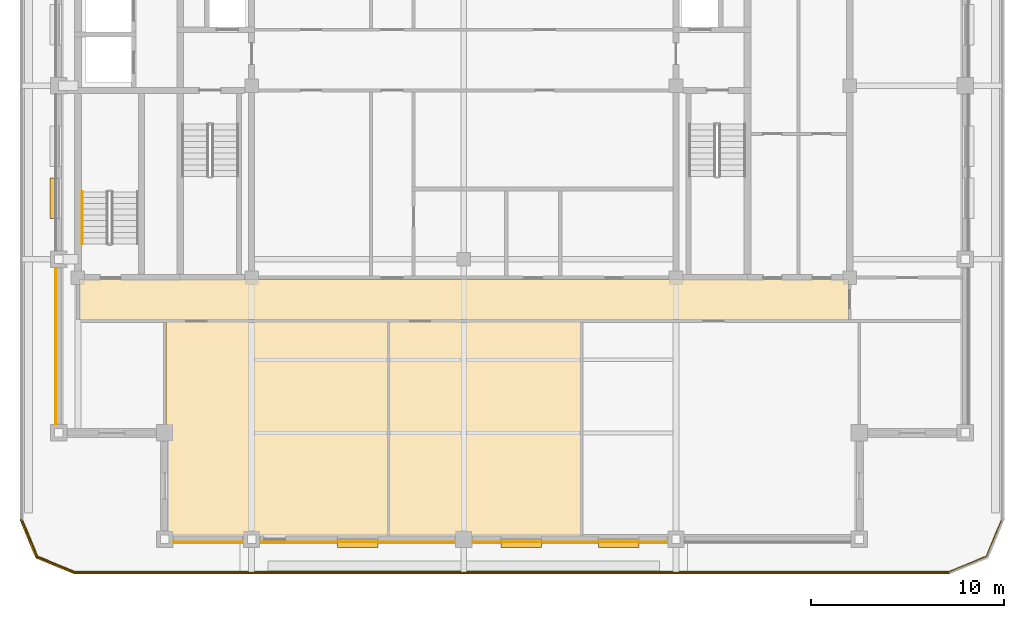
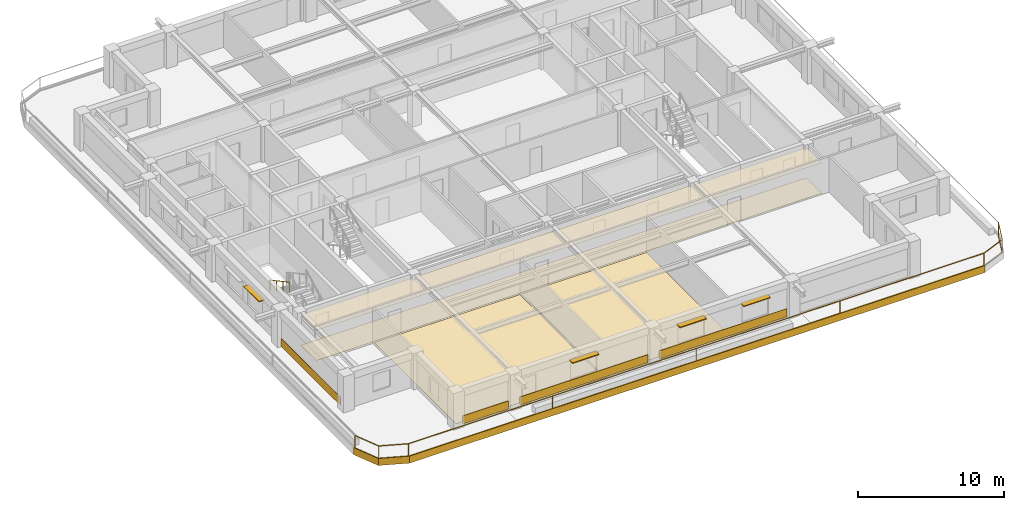
# One storey, part 7 of 11: 11 coverings, 4 shading devices, 2 railings.
"""IFC4 building model written with IfcOpenShell, lengths in metres."""

from ifc_helpers import new_model, si_unit, direction, frame, frame_2d, origin, origin_2d, place, context, subcontext, project, spatial, polyline, rectangle, outline, extrude, material, layer, layer_set, type_object, element, save


model = new_model("IFC4")

# Units and contexts
model_context = context("Model", 3, precision=1e-05, world=origin(), true_north=direction((0.0, 1.0)))
body_context = subcontext(model_context, "Body", "Model", "MODEL_VIEW")
ifc_project = project(units=[si_unit("LENGTHUNIT", "METRE"), si_unit("AREAUNIT", "SQUARE_METRE"), si_unit("VOLUMEUNIT", "CUBIC_METRE"), si_unit("PLANEANGLEUNIT", "RADIAN"), si_unit("MASSUNIT", "GRAM", prefix="KILO")], contexts=[model_context])

# Site, building, storey
site_placement = place(None, origin())
site = spatial("IfcSite", under=ifc_project, at=site_placement, CompositionType="ELEMENT")
building_placement = place(site_placement, origin())
building = spatial("IfcBuilding", under=site, at=building_placement, Name="Zulmaris Gate Convention Tower", CompositionType="ELEMENT")
storey_placement = place(building_placement, frame((0.0, 0.0, 230.050048828125)))
storey = spatial("IfcBuildingStorey", under=building, at=storey_placement, Name="L60", CompositionType="ELEMENT", Elevation=230.050048828125)

# Coverings
ifc_material_1 = material(Name="Precast concrete C40/50", Category="concrete")
ifc_layer_1 = layer(ifc_material_1, 0.0400390625, Name="Precast concrete C40/50")
ifc_layer_set_1 = layer_set([ifc_layer_1], Name="Precast concrete C40/50")
covering_type_1 = type_object("IfcCoveringType", Name="CLAD-SPANDREL-PRECAST", PredefinedType="CLADDING", material=ifc_layer_set_1)
covering_1_placement = place(storey_placement, frame((-15.044921875, -23.64990234375, 0.0), z_axis=(0.0, 0.0, 1.0), x_axis=(1.0, 0.0, 0.0)))
element("IfcCovering", 1, at=covering_1_placement, inside=storey, type_object=covering_type_1, Name="CLD-L60-S-0_0", PredefinedType="CLADDING", context=body_context, shape_type="SweptSolid", body=[
    extrude(rectangle(XDim=3.58984375, YDim=0.0400390625, at=frame_2d((1.794921875, 0.0))), origin(), (0.0, 0.0, 1.0), 0.679931640625),
])
for number, where, z_axis, x_axis, name in (
    (2, (-10.544921875, -23.64990234375, 0.0), (0.0, 0.0, 1.0), (1.0, 0.0, 0.0), "CLD-L60-S-1_0"),
    (3, (0.455078125, -23.64990234375, 0.0), (0.0, 0.0, 1.0), (1.0, 0.0, 0.0), "CLD-L60-S-2_0"),
):
    element("IfcCovering", number, at=place(storey_placement, frame(where, z_axis=z_axis, x_axis=x_axis)), inside=storey, type_object=covering_type_1, Name=name, PredefinedType="CLADDING", context=body_context, shape_type="SweptSolid", body=[
        extrude(rectangle(XDim=10.08984375, YDim=0.0400390625, at=frame_2d((5.044921875, 0.0))), origin(), (0.0, 0.0, 1.0), 0.679931640625),
    ])
covering_2_placement = place(storey_placement, frame((-21.14990234375, -9.455078125, 0.0), z_axis=(0.0, 0.0, 1.0), x_axis=(0.0, -1.0, 0.0)))
element("IfcCovering", 4, at=covering_2_placement, inside=storey, type_object=covering_type_1, Name="CLD-L60-W-0_0", PredefinedType="CLADDING", context=body_context, shape_type="SweptSolid", body=[
    extrude(rectangle(XDim=8.08984375, YDim=0.0400390625, at=frame_2d((4.044921875, 0.0))), origin(), (0.0, 0.0, 1.0), 0.679931640625),
])
ifc_material_2 = material(Name="White Glazed Architectural Precast Concrete C40/50", Category="concrete")
ifc_layer_2 = layer(ifc_material_2, 0.080078125, Name="White Glazed Architectural Precast Concrete C40/50")
ifc_layer_set_2 = layer_set([ifc_layer_2], Name="White Glazed Architectural Precast Concrete C40/50")
covering_type_2 = type_object("IfcCoveringType", Name="CLAD-TRAY-FASCIA", PredefinedType="CLADDING", material=ifc_layer_set_2)
covering_3_placement = place(storey_placement, frame((-22.962890625, -22.484619140625, -0.465087890625), z_axis=(0.0, 0.0, 1.0), x_axis=(0.382656984709, -0.923890487046, 0.0)))
element("IfcCovering", 5, at=covering_3_placement, inside=storey, type_object=covering_type_2, Name="FSC-L60-TR-00", PredefinedType="CLADDING", context=body_context, shape_type="SweptSolid", body=[
    extrude(rectangle(XDim=2.14306640625, YDim=0.080078125, at=frame_2d((1.071533203125, 0.0))), origin(), (0.0, 0.0, 1.0), 0.5849609375),
])
covering_4_placement = place(storey_placement, frame((-22.16455078125, -24.44287109375, -0.465087890625), z_axis=(0.0, 0.0, 1.0), x_axis=(0.923873803533, -0.382697263049, 0.0)))
element("IfcCovering", 6, at=covering_4_placement, inside=storey, type_object=covering_type_2, Name="FSC-L60-TR-01", PredefinedType="CLADDING", context=body_context, shape_type="SweptSolid", body=[
    extrude(rectangle(XDim=2.142822265625, YDim=0.080078125, at=frame_2d((1.0712890625, 0.0))), origin(), (0.0, 0.0, 1.0), 0.5849609375),
])
covering_5_placement = place(storey_placement, frame((-20.199951171875, -25.260009765625, -0.465087890625), z_axis=(0.0, 0.0, 1.0), x_axis=(1.0, 0.0, 0.0)))
element("IfcCovering", 7, at=covering_5_placement, inside=storey, type_object=covering_type_2, Name="FSC-L60-TR-02", PredefinedType="CLADDING", context=body_context, shape_type="SweptSolid", body=[
    extrude(rectangle(XDim=45.39990234375, YDim=0.080078125, at=frame_2d((22.699951171875, 0.0))), origin(), (0.0, 0.0, 1.0), 0.5849609375),
])
ifc_material_3 = material(Name="Mineral Fibre Acoustic Ceiling Tile")
ifc_layer_3 = layer(ifc_material_3, 0.02001953125, Name="Mineral Fibre Acoustic Ceiling Tile")
ifc_layer_set_3 = layer_set([ifc_layer_3], Name="Mineral Fibre Acoustic Ceiling Tile")
covering_type_3 = type_object("IfcCoveringType", Name="CLG-ACOUSTIC-600", PredefinedType="CEILING", material=ifc_layer_set_3)
covering_6_placement = place(storey_placement, frame((0.0, 0.0, 2.537841796875)))
element("IfcCovering", 8, at=covering_6_placement, inside=storey, type_object=covering_type_3, Name="CLG-L60-R32", PredefinedType="CEILING", context=body_context, shape_type="SweptSolid", body=[
    extrude(outline(polyline([(-19.93994140625, -12.139892578125), (19.93994140625, -12.139892578125), (19.93994140625, -10.010009765625), (-19.93994140625, -10.010009765625), (-19.93994140625, -12.139892578125)])), origin(), (0.0, 0.0, 1.0), 0.02001953125),
])
ifc_material_4 = material(Name="Woven Acoustic Wool Carpet Tile")
ifc_layer_4 = layer(ifc_material_4, 0.02001953125, Name="Woven Acoustic Wool Carpet Tile")
ifc_layer_set_4 = layer_set([ifc_layer_4], Name="Woven Acoustic Wool Carpet Tile")
covering_type_4 = type_object("IfcCoveringType", Name="FLR-CARPET-12", PredefinedType="FLOORING", material=ifc_layer_set_4)
covering_7_placement = place(storey_placement, origin())
element("IfcCovering", 9, at=covering_7_placement, inside=storey, type_object=covering_type_4, Name="FLR-L60-R32", PredefinedType="FLOORING", context=body_context, shape_type="SweptSolid", body=[
    extrude(outline(polyline([(-19.93994140625, -12.139892578125), (19.93994140625, -12.139892578125), (19.93994140625, -10.010009765625), (-19.93994140625, -10.010009765625), (-19.93994140625, -12.139892578125)])), origin(), (0.0, 0.0, 1.0), 0.02001953125),
])
covering_8_placement = place(storey_placement, origin())
element("IfcCovering", 10, at=covering_8_placement, inside=storey, type_object=covering_type_4, Name="FLR-L60-R40", PredefinedType="FLOORING", context=body_context, shape_type="SweptSolid", body=[
    extrude(outline(polyline([(-3.840087890625, -23.43994140625), (6.0400390625, -23.43994140625), (6.0400390625, -12.260009765625), (-3.840087890625, -12.260009765625), (-3.840087890625, -23.43994140625)])), origin(), (0.0, 0.0, 1.0), 0.02001953125),
])
ifc_material_5 = material(Name="Engineered Teak Parquet Flooring")
ifc_layer_5 = layer(ifc_material_5, 0.02001953125, Name="Engineered Teak Parquet Flooring")
ifc_layer_set_5 = layer_set([ifc_layer_5], Name="Engineered Teak Parquet Flooring")
covering_type_5 = type_object("IfcCoveringType", Name="FLR-TIMBER-18", PredefinedType="FLOORING", material=ifc_layer_set_5)
covering_9_placement = place(storey_placement, origin())
element("IfcCovering", 11, at=covering_9_placement, inside=storey, type_object=covering_type_5, Name="FLR-L60-R39", PredefinedType="FLOORING", context=body_context, shape_type="SweptSolid", body=[
    extrude(outline(polyline([(-15.43994140625, -23.43994140625), (-3.9599609375, -23.43994140625), (-3.9599609375, -12.260009765625), (-15.43994140625, -12.260009765625), (-15.43994140625, -23.43994140625)])), origin(), (0.0, 0.0, 1.0), 0.02001953125),
])

# Railings
ifc_material_6 = material(Name="Laminated Glass and Stainless Steel", Category="steel")
railing_type_1 = type_object("IfcRailingType", Name="RL-BALC-1150", PredefinedType="BALUSTRADE", material=ifc_material_6)
railing_1_placement = place(storey_placement, frame((-22.8798828125, -22.5, -0.0400390625)))
element("IfcRailing", 12, at=railing_1_placement, inside=storey, type_object=railing_type_1, Name="RL-L60-BALC-S", PredefinedType="BALUSTRADE", context=body_context, shape_type="SweptSolid", body=[
    extrude(rectangle(XDim=0.048095703125, YDim=0.048095703125, at=origin_2d()), frame((0.0, 0.0, 1.1259765625), z_axis=(0.382670664694, -0.92388482095, 0.0), x_axis=(0.92388482095, 0.382670664694, 0.0)), (0.0, 0.0, 1.0), 2.051025390625),
    extrude(rectangle(XDim=0.048095703125, YDim=0.048095703125, at=origin_2d()), frame((0.0, 0.0, 0.02392578125), z_axis=(0.382670664694, -0.92388482095, 0.0), x_axis=(0.92388482095, 0.382670664694, 0.0)), (0.0, 0.0, 1.0), 2.051025390625),
    extrude(rectangle(XDim=0.048095703125, YDim=0.048095703125, at=origin_2d()), frame((0.784912109375, -1.89501953125, 1.1259765625), z_axis=(0.92388482095, -0.382670664694, 0.0), x_axis=(0.382670664694, 0.92388482095, 0.0)), (0.0, 0.0, 1.0), 2.051025390625),
    extrude(rectangle(XDim=0.048095703125, YDim=0.048095703125, at=origin_2d()), frame((0.784912109375, -1.89501953125, 0.02392578125), z_axis=(0.92388482095, -0.382670664694, 0.0), x_axis=(0.382670664694, 0.92388482095, 0.0)), (0.0, 0.0, 1.0), 2.051025390625),
    extrude(rectangle(XDim=0.048095703125, YDim=0.048095703125, at=origin_2d()), frame((2.679931640625, -2.679931640625, 1.1259765625), z_axis=(1.0, 0.0, 0.0), x_axis=(0.0, 1.0, 0.0)), (0.0, 0.0, 1.0), 45.39990234375),
    extrude(rectangle(XDim=0.048095703125, YDim=0.048095703125, at=origin_2d()), frame((2.679931640625, -2.679931640625, 0.02392578125), z_axis=(1.0, 0.0, 0.0), x_axis=(0.0, 1.0, 0.0)), (0.0, 0.0, 1.0), 45.39990234375),
    extrude(rectangle(XDim=0.048095703125, YDim=0.048095703125, at=origin_2d()), frame((48.079833984375, -2.679931640625, 1.1259765625), z_axis=(0.92388482095, 0.382670664694, 0.0), x_axis=(-0.382670664694, 0.92388482095, 0.0)), (0.0, 0.0, 1.0), 2.051025390625),
    extrude(rectangle(XDim=0.048095703125, YDim=0.048095703125, at=origin_2d()), frame((48.079833984375, -2.679931640625, 0.02392578125), z_axis=(0.92388482095, 0.382670664694, 0.0), x_axis=(-0.382670664694, 0.92388482095, 0.0)), (0.0, 0.0, 1.0), 2.051025390625),
    extrude(rectangle(XDim=0.048095703125, YDim=0.048095703125, at=origin_2d()), frame((49.974853515625, -1.89501953125, 1.1259765625), z_axis=(0.382670664694, 0.92388482095, 0.0), x_axis=(-0.92388482095, 0.382670664694, 0.0)), (0.0, 0.0, 1.0), 2.051025390625),
    extrude(rectangle(XDim=0.048095703125, YDim=0.048095703125, at=origin_2d()), frame((49.974853515625, -1.89501953125, 0.02392578125), z_axis=(0.382670664694, 0.92388482095, 0.0), x_axis=(-0.92388482095, 0.382670664694, 0.0)), (0.0, 0.0, 1.0), 2.051025390625),
    extrude(rectangle(XDim=0.0419921875, YDim=0.0419921875, at=origin_2d()), origin(), (0.0, 0.0, 1.0), 1.101806640625),
    extrude(rectangle(XDim=0.0419921875, YDim=0.0419921875, at=origin_2d()), frame((0.784912109375, -1.89501953125, 0.0)), (0.0, 0.0, 1.0), 1.101806640625),
    extrude(rectangle(XDim=0.0419921875, YDim=0.0419921875, at=origin_2d()), frame((2.679931640625, -2.679931640625, 0.0)), (0.0, 0.0, 1.0), 1.101806640625),
    extrude(rectangle(XDim=0.0419921875, YDim=0.0419921875, at=origin_2d()), frame((14.02978515625, -2.679931640625, 0.0)), (0.0, 0.0, 1.0), 1.101806640625),
    extrude(rectangle(XDim=0.0419921875, YDim=0.0419921875, at=origin_2d()), frame((25.3798828125, -2.679931640625, 0.0)), (0.0, 0.0, 1.0), 1.101806640625),
    extrude(rectangle(XDim=0.0419921875, YDim=0.0419921875, at=origin_2d()), frame((36.72998046875, -2.679931640625, 0.0)), (0.0, 0.0, 1.0), 1.101806640625),
    extrude(rectangle(XDim=0.0419921875, YDim=0.0419921875, at=origin_2d()), frame((48.079833984375, -2.679931640625, 0.0)), (0.0, 0.0, 1.0), 1.101806640625),
    extrude(rectangle(XDim=0.0419921875, YDim=0.0419921875, at=origin_2d()), frame((49.974853515625, -1.89501953125, 0.0)), (0.0, 0.0, 1.0), 1.101806640625),
    extrude(rectangle(XDim=0.0419921875, YDim=0.0419921875, at=origin_2d()), frame((50.759765625, 0.0, 0.0)), (0.0, 0.0, 1.0), 1.101806640625),
])
ifc_material_7 = material(Name="Brushed Stainless Steel", Category="steel")
railing_type_2 = type_object("IfcRailingType", Name="RL-STH-900", PredefinedType="HANDRAIL", material=ifc_material_7)
railing_2_placement = place(storey_placement, frame((-19.77001953125, -5.5, 1.7763671875)))
element("IfcRailing", 13, at=railing_2_placement, inside=storey, type_object=railing_type_2, Name="L60 ST-3 stair handrail 2", PredefinedType="HANDRAIL", context=body_context, shape_type="SweptSolid", body=[
    extrude(rectangle(XDim=0.048095703125, YDim=0.048095703125, at=origin_2d()), frame((0.0, 0.0, 0.8759765625), z_axis=(0.0, -0.880499220447, 0.474047595492), x_axis=(1.0, 0.0, 0.0)), (0.0, 0.0, 1.0), 3.06640625),
    extrude(rectangle(XDim=0.0419921875, YDim=0.0419921875, at=origin_2d()), origin(), (0.0, 0.0, 1.0), 0.851806640625),
    extrude(rectangle(XDim=0.0419921875, YDim=0.0419921875, at=origin_2d()), frame((0.0, -0.89990234375, 0.484619140625)), (0.0, 0.0, 1.0), 0.851806640625),
    extrude(rectangle(XDim=0.0419921875, YDim=0.0419921875, at=origin_2d()), frame((0.0, -1.800048828125, 0.968994140625)), (0.0, 0.0, 1.0), 0.851806640625),
    extrude(rectangle(XDim=0.0419921875, YDim=0.0419921875, at=origin_2d()), frame((0.0, -2.699951171875, 1.45361328125)), (0.0, 0.0, 1.0), 0.851806640625),
])

# Shading devices
ifc_material_8 = material(Name="Glazed Ceramic Terracotta", Category="masonry")
ifc_layer_6 = layer(ifc_material_8, 0.070068359375, Name="Glazed Ceramic Terracotta")
ifc_layer_set_6 = layer_set([ifc_layer_6], Name="Glazed Ceramic Terracotta")
shading_device_type = type_object("IfcShadingDeviceType", Name="SHD-SUNSHADE-TC", PredefinedType="AWNING", material=ifc_layer_set_6)
for number, where, z_axis, x_axis, name in (
    (14, (-6.550048828125, -23.719970703125, 2.22998046875), (0.0, 0.0, 1.0), (1.0, 0.0, 0.0), "SHD-EW-L60-S-1_0-2"),
    (15, (1.927001953125, -23.719970703125, 2.22998046875), (0.0, 0.0, 1.0), (1.0, 0.0, 0.0), "SHD-EW-L60-S-2_0-1"),
    (16, (6.972900390625, -23.719970703125, 2.22998046875), (0.0, 0.0, 1.0), (1.0, 0.0, 0.0), "SHD-EW-L60-S-2_0-3"),
):
    element("IfcShadingDevice", number, at=place(storey_placement, frame(where, z_axis=z_axis, x_axis=x_axis)), inside=storey, type_object=shading_device_type, Name=name, PredefinedType="AWNING", context=body_context, shape_type="SweptSolid", body=[
        extrude(rectangle(XDim=2.10009765625, YDim=0.43994140625, at=frame_2d((1.050048828125, 0.0))), origin(), (0.0, 0.0, 1.0), 0.070068359375),
    ])
shading_device_placement = place(storey_placement, frame((-21.219970703125, -4.798095703125, 2.22998046875), z_axis=(0.0, 0.0, 1.0), x_axis=(0.0, -1.0, 0.0)))
element("IfcShadingDevice", 17, at=shading_device_placement, inside=storey, type_object=shading_device_type, Name="SHD-EW-L60-W-1_0-2", PredefinedType="AWNING", context=body_context, shape_type="SweptSolid", body=[
    extrude(rectangle(XDim=2.099853515625, YDim=0.43994140625, at=frame_2d((1.0498046875, 0.0))), origin(), (0.0, 0.0, 1.0), 0.070068359375),
])

save(model, "model.ifc")
